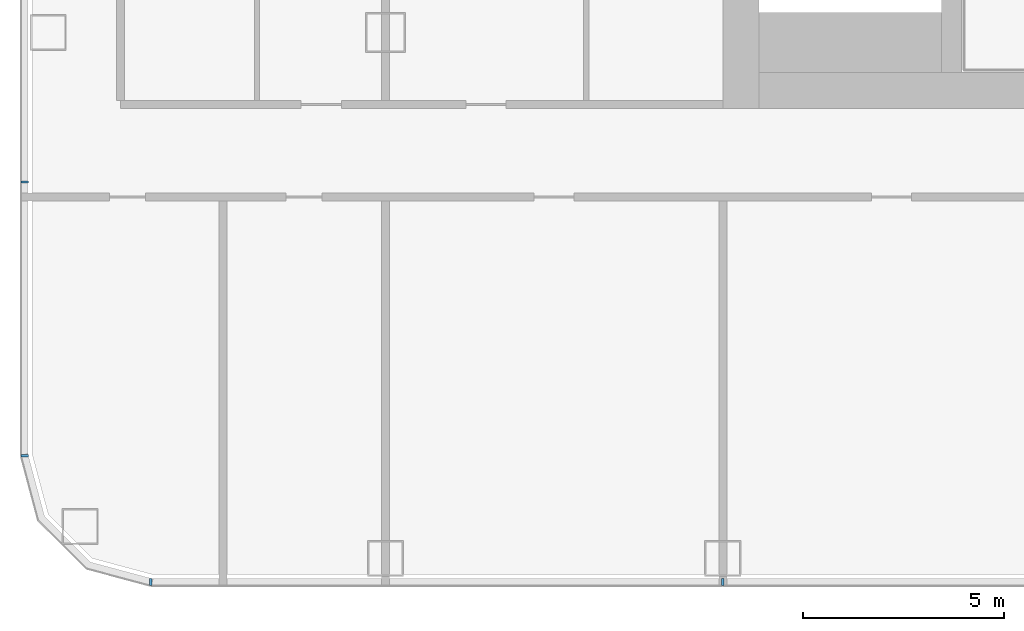
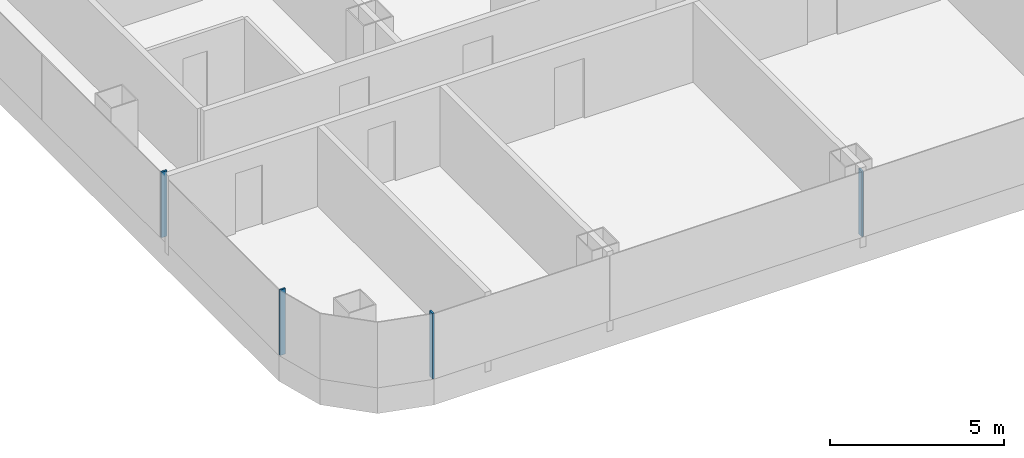
# One storey, part 2 of 28: 4 members, 2 elements without a shape of their own.
"""IFC4 building model written with IfcOpenShell, lengths in metres."""

from ifc_helpers import new_model, si_unit, direction, frame, origin, origin_2d, place, context, subcontext, project, spatial, rectangle, extrude, material, layer, layer_set, material_profile, profile_set, type_object, element, aggregate, save


model = new_model("IFC4")

# Units and contexts
model_context = context("Model", 3, precision=1e-05, world=origin(), true_north=direction((0.0, 1.0)))
body_context = subcontext(model_context, "Body", "Model", "MODEL_VIEW")
ifc_project = project(units=[si_unit("LENGTHUNIT", "METRE"), si_unit("AREAUNIT", "SQUARE_METRE"), si_unit("VOLUMEUNIT", "CUBIC_METRE"), si_unit("PLANEANGLEUNIT", "RADIAN"), si_unit("MASSUNIT", "GRAM", prefix="KILO")], contexts=[model_context])

# Site, building, storey
site_placement = place(None, origin())
site = spatial("IfcSite", under=ifc_project, at=site_placement, CompositionType="ELEMENT")
building_placement = place(site_placement, origin())
building = spatial("IfcBuilding", under=site, at=building_placement, Name="Hakoniwa Tower and Hamabe Station Hall", CompositionType="ELEMENT")
storey_placement = place(building_placement, frame((0.0, 0.0, 58.199951171875)))
storey = spatial("IfcBuildingStorey", under=building, at=storey_placement, Name="L16", CompositionType="ELEMENT", Elevation=58.199951171875)

# Curtain wall, members
ifc_material_1 = material(Name="Dark low-e laminated glass", Category="glass")
ifc_layer = layer(ifc_material_1, 0.199951171875)
ifc_layer_set = layer_set([ifc_layer], Name="CW-1 UNITISED GUEST")
curtain_wall_type = type_object("IfcCurtainWallType", Name="CW-1 UNITISED GUEST", PredefinedType="NOTDEFINED", material=ifc_layer_set)
curtain_wall_1_placement = place(storey_placement, origin())
curtain_wall_1 = element("IfcCurtainWall", 1, at=curtain_wall_1_placement, inside=storey, type_object=curtain_wall_type, Name="CW-1 curtain wall", PredefinedType="NOTDEFINED")
ifc_material_2 = material(Name="Aluminium 6063-T5 black anodised", Category="aluminium")
ifc_material_profile = material_profile(ifc_material_2, rectangle(XDim=0.06005859375, YDim=0.179931640625, at=origin_2d()), Name="CW-1 MULLION 60X180")
ifc_profile_set = profile_set([ifc_material_profile], Name="Aluminium 6063-T5 black anodised")
member_type = type_object("IfcMemberType", Name="CW-1 MULLION 60X180", PredefinedType="MULLION", material=ifc_profile_set)
member_1_placement = place(storey_placement, frame((-50.98193359375, -10.2236328125, 0.35009765625), z_axis=(0.0, 0.0, 1.0), x_axis=(0.0, -1.0, 0.0)))
member_1 = element("IfcMember", 2, at=member_1_placement, type_object=member_type, Name="CW-1 mullion", PredefinedType="MULLION", context=body_context, shape_type="SweptSolid", body=[
    extrude(rectangle(XDim=0.06005859375, YDim=0.179931640625, at=origin_2d()), origin(), (0.0, 0.0, 1.0), 2.300048828125),
])
member_2_placement = place(storey_placement, frame((-50.98193359375, -17.03955078125, 0.35009765625), z_axis=(0.0, 0.0, 1.0), x_axis=(0.0, -1.0, 0.0)))
member_2 = element("IfcMember", 3, at=member_2_placement, type_object=member_type, Name="CW-1 mullion", PredefinedType="MULLION", context=body_context, shape_type="SweptSolid", body=[
    extrude(rectangle(XDim=0.06005859375, YDim=0.179931640625, at=origin_2d()), origin(), (0.0, 0.0, 1.0), 2.300048828125),
])
aggregate(curtain_wall_1, [member_1, member_2])

curtain_wall_2_placement = place(storey_placement, origin())
curtain_wall_2 = element("IfcCurtainWall", 4, at=curtain_wall_2_placement, inside=storey, type_object=curtain_wall_type, Name="CW-1 curtain wall", PredefinedType="NOTDEFINED")
member_3_placement = place(storey_placement, frame((-47.839599609375, -20.181884765625, 0.35009765625), z_axis=(0.0, 0.0, 1.0), x_axis=(1.0, 0.0, 0.0)))
member_3 = element("IfcMember", 5, at=member_3_placement, type_object=member_type, Name="CW-1 mullion", PredefinedType="MULLION", context=body_context, shape_type="SweptSolid", body=[
    extrude(rectangle(XDim=0.06005859375, YDim=0.179931640625, at=origin_2d()), origin(), (0.0, 0.0, 1.0), 2.300048828125),
])
member_4_placement = place(storey_placement, frame((-33.60009765625, -20.181884765625, 0.35009765625), z_axis=(0.0, 0.0, 1.0), x_axis=(1.0, 0.0, 0.0)))
member_4 = element("IfcMember", 6, at=member_4_placement, type_object=member_type, Name="CW-1 mullion", PredefinedType="MULLION", context=body_context, shape_type="SweptSolid", body=[
    extrude(rectangle(XDim=0.06005859375, YDim=0.179931640625, at=origin_2d()), origin(), (0.0, 0.0, 1.0), 2.300048828125),
])
aggregate(curtain_wall_2, [member_3, member_4])

save(model, "model.ifc")
